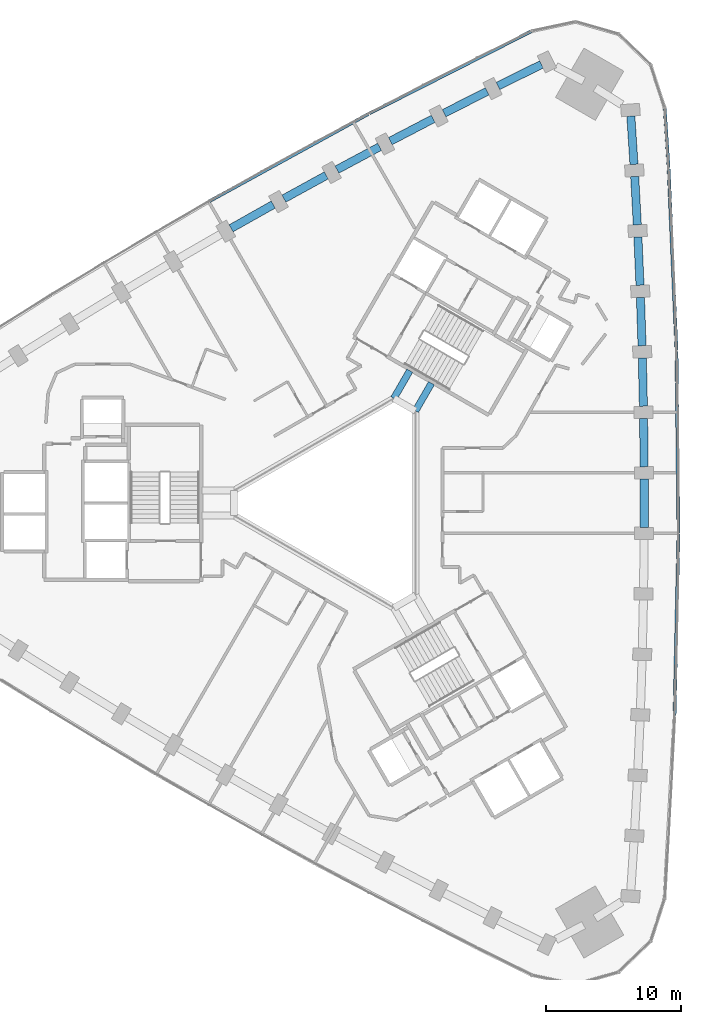
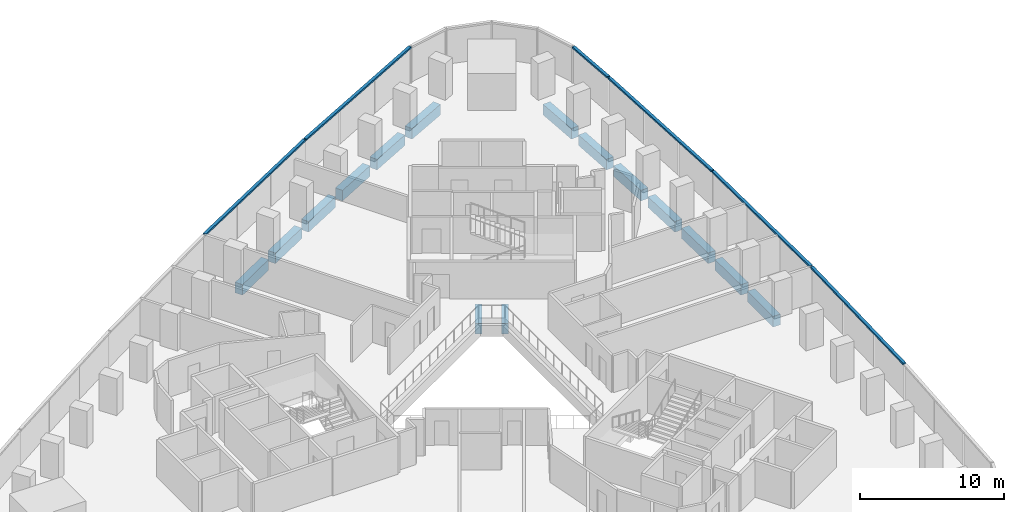
# One storey, part 5 of 13: 15 beams, 6 members, 2 elements without a shape of their own.
"""IFC4 building model written with IfcOpenShell, lengths in metres."""

from ifc_helpers import new_model, si_unit, direction, frame, origin, origin_2d, place, context, subcontext, project, spatial, rectangle, extrude, material, material_profile, profile_set, type_object, element, aggregate, save


model = new_model("IFC4")

# Units and contexts
model_context = context("Model", 3, precision=1e-05, world=origin(), true_north=direction((0.0, 1.0)))
body_context = subcontext(model_context, "Body", "Model", "MODEL_VIEW")
ifc_project = project(units=[si_unit("LENGTHUNIT", "METRE"), si_unit("AREAUNIT", "SQUARE_METRE"), si_unit("VOLUMEUNIT", "CUBIC_METRE"), si_unit("PLANEANGLEUNIT", "RADIAN"), si_unit("MASSUNIT", "GRAM", prefix="KILO")], contexts=[model_context])

# Site, building, storey
site_placement = place(None, origin())
site = spatial("IfcSite", under=ifc_project, at=site_placement, CompositionType="ELEMENT")
building_placement = place(site_placement, origin())
building = spatial("IfcBuilding", under=site, at=building_placement, Name="Tamra Quay Hotel Tower", CompositionType="ELEMENT")
storey_placement = place(building_placement, frame((0.0, 0.0, 60.199951171875)))
storey = spatial("IfcBuildingStorey", under=building, at=storey_placement, Name="L13", CompositionType="ELEMENT", Elevation=60.199951171875)

# Beams
ifc_material_1 = material(Name="Concrete M60", Category="concrete")
ifc_material_profile_1 = material_profile(ifc_material_1, rectangle(XDim=0.5, YDim=0.89990234375, at=origin_2d()), Name="ATRIUM TIE BEAM RC 500x900")
ifc_profile_set_1 = profile_set([ifc_material_profile_1], Name="Concrete M60")
beam_type_1 = type_object("IfcBeamType", Name="ATRIUM TIE BEAM RC 500x900", PredefinedType="BEAM", material=ifc_profile_set_1)
for number, where, z_axis, x_axis, name in (
    (1, (5.0, 6.812744140625, -0.925048828125), (0.500029618126, 0.866008303076, 0.0), (-0.866008303076, 0.500029618126, 0.0), "BM-TIE-0-L13"),
    (2, (3.39990234375, 7.736572265625, -0.925048828125), (0.500029618126, 0.866008303076, 0.0), (-0.866008303076, 0.500029618126, 0.0), "BM-TIE-5-L13"),
):
    element("IfcBeam", number, at=place(storey_placement, frame(where, z_axis=z_axis, x_axis=x_axis)), inside=storey, type_object=beam_type_1, Name=name, PredefinedType="BEAM", context=body_context, shape_type="SweptSolid", body=[
        extrude(rectangle(XDim=0.5, YDim=0.89990234375, at=origin_2d()), origin(), (0.0, 0.0, 1.0), 2.362060546875),
    ])
ifc_material_profile_2 = material_profile(ifc_material_1, rectangle(XDim=0.60009765625, YDim=0.89990234375, at=origin_2d()), Name="SPANDREL BEAM RC 600x900")
ifc_profile_set_2 = profile_set([ifc_material_profile_2], Name="Concrete M60")
beam_type_2 = type_object("IfcBeamType", Name="SPANDREL BEAM RC 600x900", PredefinedType="SPANDREL", material=ifc_profile_set_2)
beam_1_placement = place(storey_placement, frame((21.894287109375, -1.785400390625, -0.925048828125), z_axis=(0.0, 1.0, 0.0), x_axis=(-1.0, 0.0, 0.0)))
element("IfcBeam", 3, at=beam_1_placement, inside=storey, type_object=beam_type_2, Name="BM-SP1-006-L13", PredefinedType="SPANDREL", context=body_context, shape_type="SweptSolid", body=[
    extrude(rectangle(XDim=0.60009765625, YDim=0.89990234375, at=origin_2d()), origin(), (0.0, 0.0, 1.0), 3.57080078125),
])
beam_2_placement = place(storey_placement, frame((21.889404296875, 2.685302734375, -0.925048828125), z_axis=(-0.010803527021, 0.999941640199, 0.0), x_axis=(-0.999941640199, -0.010803527021, 0.0)))
element("IfcBeam", 4, at=beam_2_placement, inside=storey, type_object=beam_type_2, Name="BM-SP1-007-L13", PredefinedType="SPANDREL", context=body_context, shape_type="SweptSolid", body=[
    extrude(rectangle(XDim=0.60009765625, YDim=0.89990234375, at=origin_2d()), origin(), (0.0, 0.0, 1.0), 3.570556640625),
])
beam_3_placement = place(storey_placement, frame((21.836181640625, 7.155517578125, -0.925048828125), z_axis=(-0.021679013576, 0.999764982569, 0.0), x_axis=(-0.999764982569, -0.021679013576, 0.0)))
element("IfcBeam", 5, at=beam_3_placement, inside=storey, type_object=beam_type_2, Name="BM-SP1-008-L13", PredefinedType="SPANDREL", context=body_context, shape_type="SweptSolid", body=[
    extrude(rectangle(XDim=0.60009765625, YDim=0.89990234375, at=origin_2d()), origin(), (0.0, 0.0, 1.0), 3.56982421875),
])
for number, where, z_axis, x_axis, name in (
    (6, (21.734619140625, 11.624267578125, -0.925048828125), (-0.032547568535, 0.999470187541, 0.0), (-0.999470187541, -0.032547568535, 0.0), "BM-SP1-009-L13"),
    (7, (21.58447265625, 16.09228515625, -0.925048828125), (-0.043282922957, 0.99906285517, 0.0), (-0.99906285517, -0.043282922957, 0.0), "BM-SP1-010-L13"),
):
    element("IfcBeam", number, at=place(storey_placement, frame(where, z_axis=z_axis, x_axis=x_axis)), inside=storey, type_object=beam_type_2, Name=name, PredefinedType="SPANDREL", context=body_context, shape_type="SweptSolid", body=[
        extrude(rectangle(XDim=0.60009765625, YDim=0.89990234375, at=origin_2d()), origin(), (0.0, 0.0, 1.0), 3.570556640625),
    ])
beam_4_placement = place(storey_placement, frame((21.385986328125, 20.558349609375, -0.925048828125), z_axis=(-0.054026860576, 0.998539482613, 0.0), x_axis=(-0.998539482613, -0.054026860576, 0.0)))
element("IfcBeam", 8, at=beam_4_placement, inside=storey, type_object=beam_type_2, Name="BM-SP1-011-L13", PredefinedType="SPANDREL", context=body_context, shape_type="SweptSolid", body=[
    extrude(rectangle(XDim=0.60009765625, YDim=0.89990234375, at=origin_2d()), origin(), (0.0, 0.0, 1.0), 3.56982421875),
])
for number, where, z_axis, x_axis, name in (
    (9, (21.139404296875, 25.021484375, -0.925048828125), (-0.064749077985, 0.99790157676, 0.0), (-0.99790157676, -0.064749077985, 0.0), "BM-SP1-012-L13"),
    (10, (14.301025390625, 32.3994140625, -0.925048828125), (-0.896604328032, -0.442832563113, 0.0), (0.442832563113, -0.896604328032, 0.0), "BM-SP1-015-L13"),
):
    element("IfcBeam", number, at=place(storey_placement, frame(where, z_axis=z_axis, x_axis=x_axis)), inside=storey, type_object=beam_type_2, Name=name, PredefinedType="SPANDREL", context=body_context, shape_type="SweptSolid", body=[
        extrude(rectangle(XDim=0.60009765625, YDim=0.89990234375, at=origin_2d()), origin(), (0.0, 0.0, 1.0), 3.57080078125),
    ])
beam_5_placement = place(storey_placement, frame((10.294677734375, 30.415283203125, -0.925048828125), z_axis=(-0.891785652583, -0.452458119439, 0.0), x_axis=(0.452458119439, -0.891785652583, 0.0)))
element("IfcBeam", 11, at=beam_5_placement, inside=storey, type_object=beam_type_2, Name="BM-SP1-016-L13", PredefinedType="SPANDREL", context=body_context, shape_type="SweptSolid", body=[
    extrude(rectangle(XDim=0.60009765625, YDim=0.89990234375, at=origin_2d()), origin(), (0.0, 0.0, 1.0), 3.56982421875),
])
beam_6_placement = place(storey_placement, frame((6.310546875, 28.388427734375, -0.925048828125), z_axis=(-0.886863886749, -0.462030785101, 0.0), x_axis=(0.462030785101, -0.886863886749, 0.0)))
element("IfcBeam", 12, at=beam_6_placement, inside=storey, type_object=beam_type_2, Name="BM-SP1-017-L13", PredefinedType="SPANDREL", context=body_context, shape_type="SweptSolid", body=[
    extrude(rectangle(XDim=0.60009765625, YDim=0.89990234375, at=origin_2d()), origin(), (0.0, 0.0, 1.0), 3.570556640625),
])
beam_7_placement = place(storey_placement, frame((2.34814453125, 26.318603515625, -0.925048828125), z_axis=(-0.881809110934, -0.471606501094, 0.0), x_axis=(0.471606501094, -0.881809110934, 0.0)))
element("IfcBeam", 13, at=beam_7_placement, inside=storey, type_object=beam_type_2, Name="BM-SP1-018-L13", PredefinedType="SPANDREL", context=body_context, shape_type="SweptSolid", body=[
    extrude(rectangle(XDim=0.60009765625, YDim=0.89990234375, at=origin_2d()), origin(), (0.0, 0.0, 1.0), 3.5703125),
])
beam_8_placement = place(storey_placement, frame((-1.591796875, 24.2060546875, -0.925048828125), z_axis=(-0.876617015828, -0.481188744216, 0.0), x_axis=(0.481188744216, -0.876617015828, 0.0)))
element("IfcBeam", 14, at=beam_8_placement, inside=storey, type_object=beam_type_2, Name="BM-SP1-019-L13", PredefinedType="SPANDREL", context=body_context, shape_type="SweptSolid", body=[
    extrude(rectangle(XDim=0.60009765625, YDim=0.89990234375, at=origin_2d()), origin(), (0.0, 0.0, 1.0), 3.56982421875),
])
beam_9_placement = place(storey_placement, frame((-5.5078125, 22.051025390625, -0.925048828125), z_axis=(-0.871431243693, -0.49051767299, 0.0), x_axis=(0.49051767299, -0.871431243693, 0.0)))
element("IfcBeam", 15, at=beam_9_placement, inside=storey, type_object=beam_type_2, Name="BM-SP1-020-L13", PredefinedType="SPANDREL", context=body_context, shape_type="SweptSolid", body=[
    extrude(rectangle(XDim=0.60009765625, YDim=0.89990234375, at=origin_2d()), origin(), (0.0, 0.0, 1.0), 3.570556640625),
])

# Curtain wall, members
ifc_material_2 = material(Name="Aluminium 6063 anodised dark grey", Category="aluminium")
curtain_wall_type_1 = type_object("IfcCurtainWallType", Name="CW1 CURTAIN WALL", PredefinedType="NOTDEFINED", material=ifc_material_2)
curtain_wall_1_placement = place(storey_placement, origin())
curtain_wall_1 = element("IfcCurtainWall", 16, at=curtain_wall_1_placement, inside=storey, type_object=curtain_wall_type_1, Name="CW1 east face L13", PredefinedType="NOTDEFINED")
ifc_material_profile_3 = material_profile(ifc_material_2, rectangle(XDim=0.239990234375, YDim=0.139892578125, at=origin_2d()), Name="TRANSOM 240X140")
ifc_profile_set_3 = profile_set([ifc_material_profile_3], Name="Aluminium 6063 anodised dark grey")
member_type_1 = type_object("IfcMemberType", Name="TRANSOM CW1 Z1", PredefinedType="USERDEFINED", material=ifc_profile_set_3)
member_1_placement = place(storey_placement, frame((24.139404296875, -15.6884765625, 3.054931640625), z_axis=(0.02165596486, 0.999765482094, 0.0), x_axis=(-0.999765482094, 0.02165596486, 0.0)))
member_1 = element("IfcMember", 17, at=member_1_placement, type_object=member_type_1, Name="CW1 transom L13.E.4", ObjectType="TRANSOM", PredefinedType="USERDEFINED", context=body_context, shape_type="SweptSolid", body=[
    extrude(rectangle(XDim=0.239990234375, YDim=0.139892578125, at=origin_2d()), origin(), (0.0, 0.0, 1.0), 13.39306640625),
])
member_2_placement = place(storey_placement, frame((24.43017578125, -2.19873046875, 3.054931640625), z_axis=(-0.010846139849, 0.999941178895, 0.0), x_axis=(-0.999941178895, -0.010846139849, 0.0)))
member_2 = element("IfcMember", 18, at=member_2_placement, type_object=member_type_1, Name="CW1 transom L13.E.7", ObjectType="TRANSOM", PredefinedType="USERDEFINED", context=body_context, shape_type="SweptSolid", body=[
    extrude(rectangle(XDim=0.239990234375, YDim=0.139892578125, at=origin_2d()), origin(), (0.0, 0.0, 1.0), 13.39306640625),
])
member_3_placement = place(storey_placement, frame((24.2822265625, 11.29345703125, 3.054931640625), z_axis=(-0.043275844727, 0.999063161799, 0.0), x_axis=(-0.999063161799, -0.043275844727, 0.0)))
member_3 = element("IfcMember", 19, at=member_3_placement, type_object=member_type_1, Name="CW1 transom L13.E.10", ObjectType="TRANSOM", PredefinedType="USERDEFINED", context=body_context, shape_type="SweptSolid", body=[
    extrude(rectangle(XDim=0.239990234375, YDim=0.139892578125, at=origin_2d()), origin(), (0.0, 0.0, 1.0), 13.392822265625),
])
member_4_placement = place(storey_placement, frame((23.69677734375, 24.773681640625, 3.054931640625), z_axis=(-0.064805058394, 0.997897942881, 0.0), x_axis=(-0.997897942881, -0.064805058394, 0.0)))
member_4 = element("IfcMember", 20, at=member_4_placement, type_object=member_type_1, Name="CW1 transom L13.E.13", ObjectType="TRANSOM", PredefinedType="USERDEFINED", context=body_context, shape_type="SweptSolid", body=[
    extrude(rectangle(XDim=0.239990234375, YDim=0.139892578125, at=origin_2d()), origin(), (0.0, 0.0, 1.0), 4.396484375),
])
aggregate(curtain_wall_1, [member_1, member_2, member_3, member_4])

curtain_wall_type_2 = type_object("IfcCurtainWallType", Name="CW2 CURTAIN WALL", PredefinedType="NOTDEFINED", material=ifc_material_2)
curtain_wall_2_placement = place(storey_placement, origin())
curtain_wall_2 = element("IfcCurtainWall", 21, at=curtain_wall_2_placement, inside=storey, type_object=curtain_wall_type_2, Name="CW2 north-west face L13", PredefinedType="NOTDEFINED")
ifc_material_profile_4 = material_profile(ifc_material_2, rectangle(XDim=0.239990234375, YDim=0.139892578125, at=origin_2d()), Name="TRANSOM 240X140")
ifc_profile_set_4 = profile_set([ifc_material_profile_4], Name="Aluminium 6063 anodised dark grey")
member_type_2 = type_object("IfcMemberType", Name="TRANSOM CW2 Z1", PredefinedType="USERDEFINED", material=ifc_profile_set_4)
member_5_placement = place(storey_placement, frame((13.548095703125, 34.855712890625, 3.054931640625), z_axis=(-0.89178662734, -0.452456198208, 0.0), x_axis=(0.452456198208, -0.89178662734, 0.0)))
member_5 = element("IfcMember", 22, at=member_5_placement, type_object=member_type_2, Name="CW2 transom L13.NW.1", ObjectType="TRANSOM", PredefinedType="USERDEFINED", context=body_context, shape_type="SweptSolid", body=[
    extrude(rectangle(XDim=0.239990234375, YDim=0.139892578125, at=origin_2d()), origin(), (0.0, 0.0, 1.0), 13.39208984375),
])
member_6_placement = place(storey_placement, frame((1.516845703125, 28.749755859375, 3.054931640625), z_axis=(-0.876646998642, -0.481134118279, 0.0), x_axis=(0.481134118279, -0.876646998642, 0.0)))
member_6 = element("IfcMember", 23, at=member_6_placement, type_object=member_type_2, Name="CW2 transom L13.NW.4", ObjectType="TRANSOM", PredefinedType="USERDEFINED", context=body_context, shape_type="SweptSolid", body=[
    extrude(rectangle(XDim=0.239990234375, YDim=0.139892578125, at=origin_2d()), origin(), (0.0, 0.0, 1.0), 13.39306640625),
])
aggregate(curtain_wall_2, [member_5, member_6])

save(model, "model.ifc")
